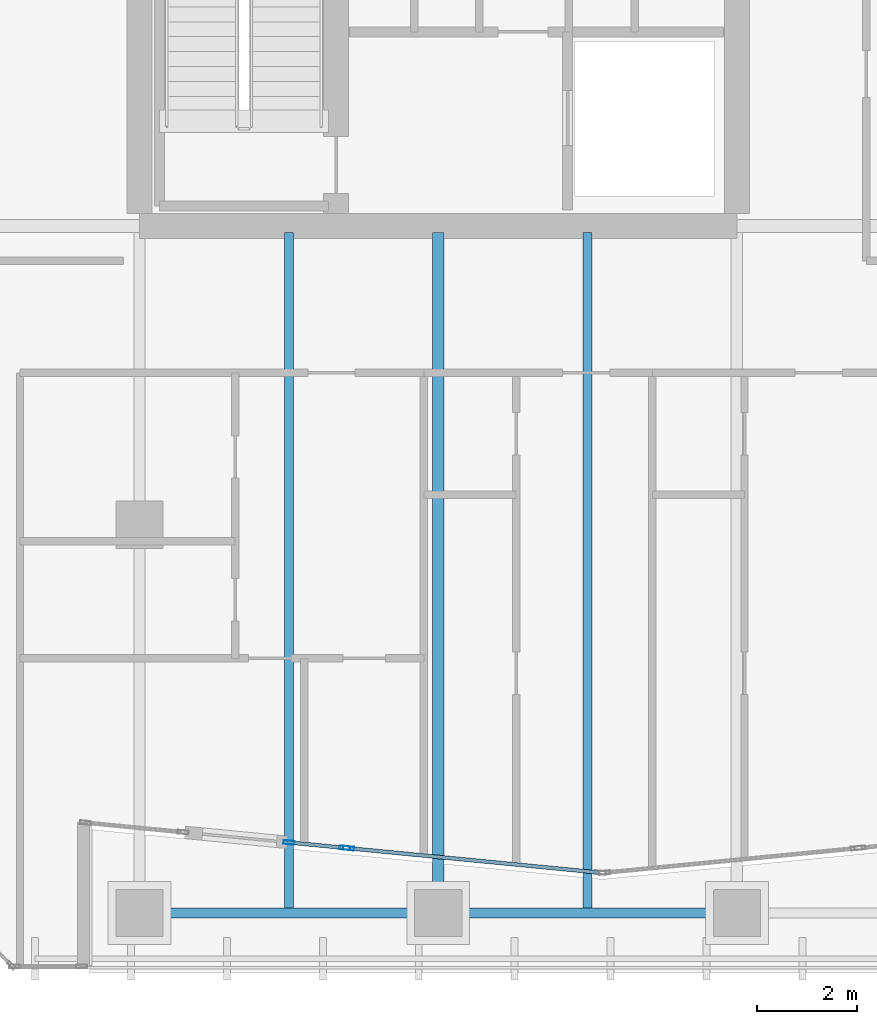
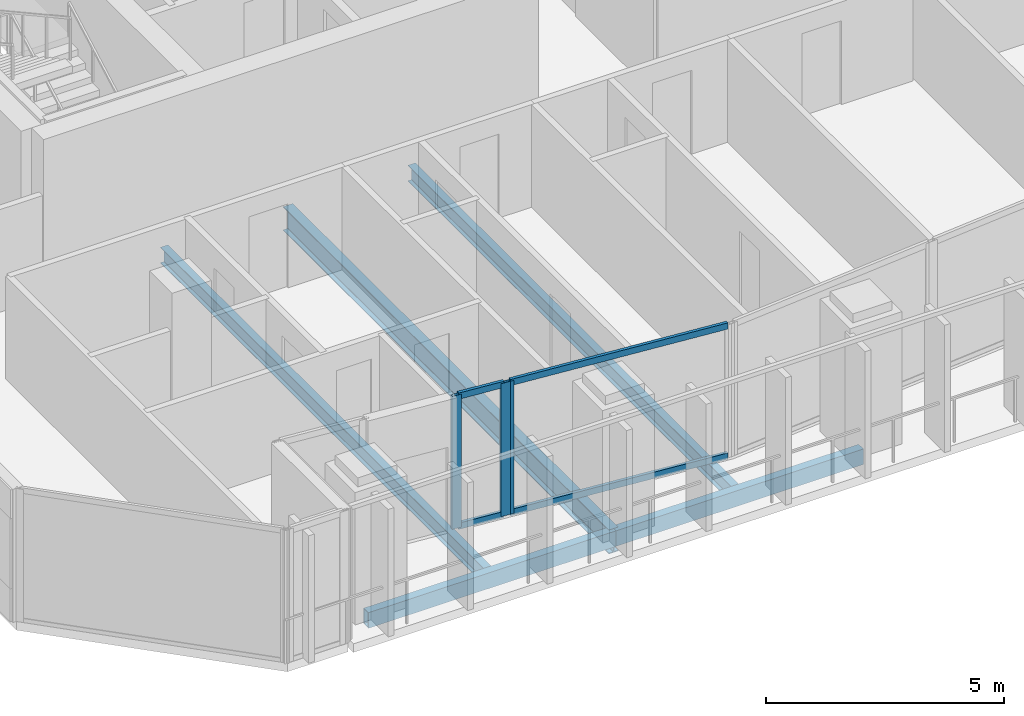
# One storey, part 3 of 39: 7 members, 5 beams, 2 elements without a shape of their own.
"""IFC4 building model written with IfcOpenShell, lengths in metres."""

from ifc_helpers import new_model, si_unit, direction, frame, origin, origin_2d, place, context, subcontext, project, spatial, hollow_rectangle, i_section, extrude, material, layer, layer_set, material_profile, profile_set, type_object, element, aggregate, save


model = new_model("IFC4")

# Units and contexts
model_context = context("Model", 3, precision=1e-05, world=origin(), true_north=direction((0.0, 1.0)))
body_context = subcontext(model_context, "Body", "Model", "MODEL_VIEW")
ifc_project = project(units=[si_unit("LENGTHUNIT", "METRE"), si_unit("AREAUNIT", "SQUARE_METRE"), si_unit("VOLUMEUNIT", "CUBIC_METRE"), si_unit("PLANEANGLEUNIT", "RADIAN"), si_unit("MASSUNIT", "GRAM", prefix="KILO")], contexts=[model_context])

# Site, building, storey
site_placement = place(None, origin())
site = spatial("IfcSite", under=ifc_project, at=site_placement, CompositionType="ELEMENT")
building_placement = place(site_placement, origin())
building = spatial("IfcBuilding", under=site, at=building_placement, Name="Tanjung Sevakor Pilgrim Tower", CompositionType="ELEMENT")
storey_placement = place(building_placement, frame((0.0, 0.0, 108.570068359375)))
storey = spatial("IfcBuildingStorey", under=building, at=storey_placement, Name="L30", CompositionType="ELEMENT", Elevation=108.570068359375)

# Beams
ifc_material_1 = material(Name="Steel S355J2", Category="steel")
ifc_material_profile_1 = material_profile(ifc_material_1, i_section(OverallWidth=0.230224609375, OverallDepth=0.6171875, WebThickness=0.01318359375, FlangeThickness=0.022216796875, FilletRadius=0.0126953125, at=origin_2d()))
ifc_profile_set_1 = profile_set([ifc_material_profile_1], Name="Steel S355J2")
beam_type_1 = type_object("IfcBeamType", Name="BM-B-G3-UB_610x229x140", PredefinedType="BEAM", material=ifc_profile_set_1)
beam_placement = place(storey_placement, frame((30.0, 10.800048828125, -0.528564453125), z_axis=(0.0, 1.0, 0.0), x_axis=(-1.0, 0.0, 0.0)))
element("IfcBeam", 1, at=beam_placement, inside=storey, type_object=beam_type_1, Name="L30 MAIN Girder 005", PredefinedType="BEAM", context=body_context, shape_type="SweptSolid", body=[
    extrude(i_section(OverallWidth=0.230224609375, OverallDepth=0.6171875, WebThickness=0.01318359375, FlangeThickness=0.022216796875, FilletRadius=0.0126953125, at=origin_2d()), origin(), (0.0, 0.0, 1.0), 13.672607421875),
])
ifc_material_2 = material(Name="Steel S355J2", Category="steel")
ifc_material_profile_2 = material_profile(ifc_material_2, i_section(OverallWidth=0.1787109375, OverallDepth=0.409423828125, WebThickness=0.0087890625, FlangeThickness=0.014404296875, FilletRadius=0.01025390625, at=origin_2d()))
ifc_profile_set_2 = profile_set([ifc_material_profile_2], Name="Steel S355J2")
beam_type_2 = type_object("IfcBeamType", Name="BM-B-J3-UB_406x178x67", PredefinedType="JOIST", material=ifc_profile_set_2)
for number, where, z_axis, x_axis, name in (
    (2, (27.0, 10.89990234375, -0.4248046875), (0.0, 1.0, 0.0), (-1.0, 0.0, 0.0), "L30 MAIN Joist 003"),
    (3, (33.0, 10.89990234375, -0.4248046875), (0.0, 1.0, 0.0), (-1.0, 0.0, 0.0), "L30 MAIN Joist 007"),
):
    element("IfcBeam", number, at=place(storey_placement, frame(where, z_axis=z_axis, x_axis=x_axis)), inside=storey, type_object=beam_type_2, Name=name, PredefinedType="JOIST", context=body_context, shape_type="SweptSolid", body=[
        extrude(i_section(OverallWidth=0.1787109375, OverallDepth=0.409423828125, WebThickness=0.0087890625, FlangeThickness=0.014404296875, FilletRadius=0.01025390625, at=origin_2d()), origin(), (0.0, 0.0, 1.0), 13.57275390625),
    ])
ifc_material_3 = material(Name="Steel S355J2", Category="steel")
ifc_material_profile_3 = material_profile(ifc_material_3, hollow_rectangle(XDim=0.199951171875, YDim=0.39990234375, WallThickness=0.01611328125, at=origin_2d()))
ifc_profile_set_3 = profile_set([ifc_material_profile_3], Name="Steel S355J2")
beam_type_3 = type_object("IfcBeamType", Name="BM-B-SP2-RHS_400x200x16", PredefinedType="SPANDREL", material=ifc_profile_set_3)
for number, where, z_axis, x_axis, name in (
    (4, (24.0, 10.800048828125, -0.420166015625), (1.0, 0.0, 0.0), (0.0, 1.0, 0.0), "L30 Spandrel MAIN S-01"),
    (5, (30.0, 10.800048828125, -0.420166015625), (1.0, 0.0, 0.0), (0.0, 1.0, 0.0), "L30 Spandrel MAIN S-03"),
):
    element("IfcBeam", number, at=place(storey_placement, frame(where, z_axis=z_axis, x_axis=x_axis)), inside=storey, type_object=beam_type_3, Name=name, PredefinedType="SPANDREL", context=body_context, shape_type="SweptSolid", body=[
        extrude(hollow_rectangle(XDim=0.199951171875, YDim=0.39990234375, WallThickness=0.01611328125, at=origin_2d()), origin(), (0.0, 0.0, 1.0), 6.0),
    ])

# Curtain wall, members
ifc_material_4 = material(Name="Aluminium 6063-T6 and Low-E Glass", Category="aluminium")
ifc_layer = layer(ifc_material_4, 0.199951171875)
ifc_layer_set = layer_set([ifc_layer], Name="CW-SYS-PRAY")
curtain_wall_type = type_object("IfcCurtainWallType", Name="CW-SYS-PRAY", PredefinedType="NOTDEFINED", material=ifc_layer_set)
curtain_wall_1_placement = place(storey_placement, origin())
curtain_wall_1 = element("IfcCurtainWall", 6, at=curtain_wall_1_placement, inside=storey, type_object=curtain_wall_type, Name="L30 Curtain Wall CW-PRY-L30-2B", PredefinedType="NOTDEFINED")
ifc_material_5 = material(Name="Aluminium 6063-T6", Category="aluminium")
ifc_material_profile_4 = material_profile(ifc_material_5, hollow_rectangle(XDim=0.074951171875, YDim=0.219970703125, WallThickness=0.0048828125, at=origin_2d()))
ifc_profile_set_4 = profile_set([ifc_material_profile_4], Name="Aluminium 6063-T6")
member_type_1 = type_object("IfcMemberType", Name="TYPE-CWM-2", PredefinedType="MULLION", material=ifc_profile_set_4)
member_1_placement = place(storey_placement, frame((27.003173828125, 12.216796875, 0.0), z_axis=(0.0, 0.0, 1.0), x_axis=(0.096595406708, 0.995323729951, 0.0)))
member_1 = element("IfcMember", 7, at=member_1_placement, type_object=member_type_1, Name="CW-PRY mullion 1", PredefinedType="MULLION", context=body_context, shape_type="SweptSolid", body=[
    extrude(hollow_rectangle(XDim=0.074951171875, YDim=0.219970703125, WallThickness=0.0048828125, at=origin_2d()), origin(), (0.0, 0.0, 1.0), 3.409912109375),
])
member_2_placement = place(storey_placement, frame((28.124755859375, 12.10791015625, 0.0), z_axis=(0.0, 0.0, 1.0), x_axis=(0.096595406708, 0.995323729951, 0.0)))
member_2 = element("IfcMember", 8, at=member_2_placement, type_object=member_type_1, Name="CW-PRY mullion 2", PredefinedType="MULLION", context=body_context, shape_type="SweptSolid", body=[
    extrude(hollow_rectangle(XDim=0.074951171875, YDim=0.219970703125, WallThickness=0.0048828125, at=origin_2d()), origin(), (0.0, 0.0, 1.0), 3.409912109375),
])

# Curtain wall, member
curtain_wall_2_placement = place(storey_placement, origin())
curtain_wall_2 = element("IfcCurtainWall", 9, at=curtain_wall_2_placement, inside=storey, type_object=curtain_wall_type, Name="L30 Curtain Wall CW-PRY-L30-3", PredefinedType="NOTDEFINED")
member_3_placement = place(storey_placement, frame((28.199462890625, 12.100830078125, 0.0), z_axis=(0.0, 0.0, 1.0), x_axis=(0.096628173007, 0.995320549462, 0.0)))
member_3 = element("IfcMember", 10, at=member_3_placement, type_object=member_type_1, Name="CW-PRY mullion 1", PredefinedType="MULLION", context=body_context, shape_type="SweptSolid", body=[
    extrude(hollow_rectangle(XDim=0.074951171875, YDim=0.219970703125, WallThickness=0.0048828125, at=origin_2d()), origin(), (0.0, 0.0, 1.0), 3.409912109375),
])

# Member
ifc_material_6 = material(Name="Aluminium 6063-T6", Category="aluminium")
ifc_material_profile_5 = material_profile(ifc_material_6, hollow_rectangle(XDim=0.074951171875, YDim=0.159912109375, WallThickness=0.00439453125, at=origin_2d()))
ifc_profile_set_5 = profile_set([ifc_material_profile_5], Name="Aluminium 6063-T6")
member_type_2 = type_object("IfcMemberType", Name="TYPE-CWT-2", PredefinedType="USERDEFINED", material=ifc_profile_set_5)
member_4_placement = place(storey_placement, frame((27.04052734375, 12.213134765625, 0.037353515625), z_axis=(0.995327012629, -0.096561575852, 0.0), x_axis=(0.096561575852, 0.995327012629, 0.0)))
member_4 = element("IfcMember", 11, at=member_4_placement, type_object=member_type_2, Name="CW-PRY transom 1.1", ObjectType="TRANSOM", PredefinedType="USERDEFINED", context=body_context, shape_type="SweptSolid", body=[
    extrude(hollow_rectangle(XDim=0.074951171875, YDim=0.159912109375, WallThickness=0.00439453125, at=origin_2d()), origin(), (0.0, 0.0, 1.0), 1.0517578125),
])

member_5_placement = place(storey_placement, frame((27.04052734375, 12.213134765625, 3.372314453125), z_axis=(0.995327012629, -0.096561575852, 0.0), x_axis=(0.096561575852, 0.995327012629, 0.0)))
member_5 = element("IfcMember", 12, at=member_5_placement, type_object=member_type_2, Name="CW-PRY transom 1.2", ObjectType="TRANSOM", PredefinedType="USERDEFINED", context=body_context, shape_type="SweptSolid", body=[
    extrude(hollow_rectangle(XDim=0.074951171875, YDim=0.159912109375, WallThickness=0.00439453125, at=origin_2d()), origin(), (0.0, 0.0, 1.0), 1.0517578125),
])

aggregate(curtain_wall_1, [member_1, member_2, member_4, member_5])

member_6_placement = place(storey_placement, frame((28.23681640625, 12.09716796875, 0.037353515625), z_axis=(0.995319078392, -0.096643324599, 0.0), x_axis=(0.096643324599, 0.995319078392, 0.0)))
member_6 = element("IfcMember", 13, at=member_6_placement, type_object=member_type_2, Name="CW-PRY transom 1.1", ObjectType="TRANSOM", PredefinedType="USERDEFINED", context=body_context, shape_type="SweptSolid", body=[
    extrude(hollow_rectangle(XDim=0.074951171875, YDim=0.159912109375, WallThickness=0.00439453125, at=origin_2d()), origin(), (0.0, 0.0, 1.0), 5.011962890625),
])

member_7_placement = place(storey_placement, frame((28.23681640625, 12.09716796875, 3.372314453125), z_axis=(0.995319078392, -0.096643324599, 0.0), x_axis=(0.096643324599, 0.995319078392, 0.0)))
member_7 = element("IfcMember", 14, at=member_7_placement, type_object=member_type_2, Name="CW-PRY transom 1.2", ObjectType="TRANSOM", PredefinedType="USERDEFINED", context=body_context, shape_type="SweptSolid", body=[
    extrude(hollow_rectangle(XDim=0.074951171875, YDim=0.159912109375, WallThickness=0.00439453125, at=origin_2d()), origin(), (0.0, 0.0, 1.0), 5.011962890625),
])

aggregate(curtain_wall_2, [member_3, member_6, member_7])

save(model, "model.ifc")
